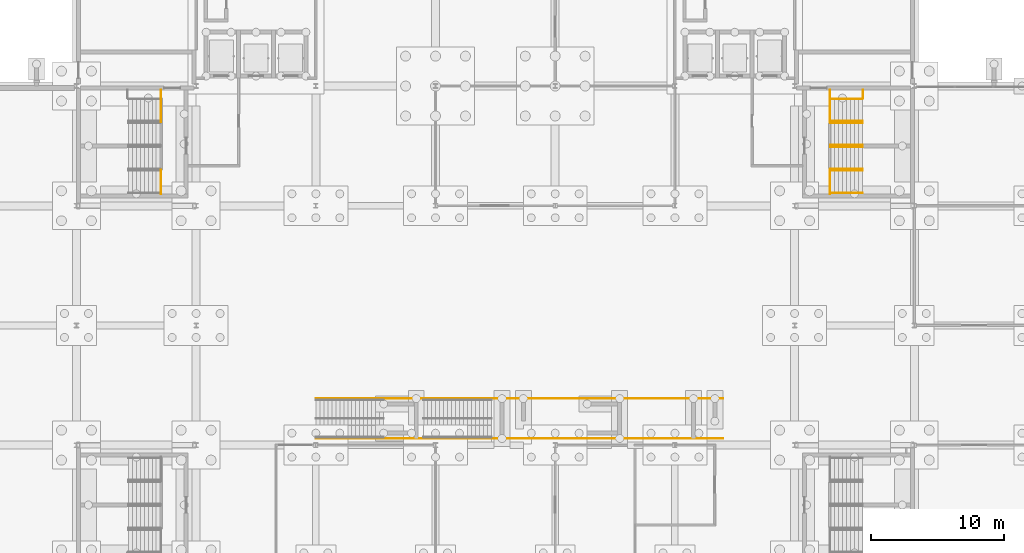
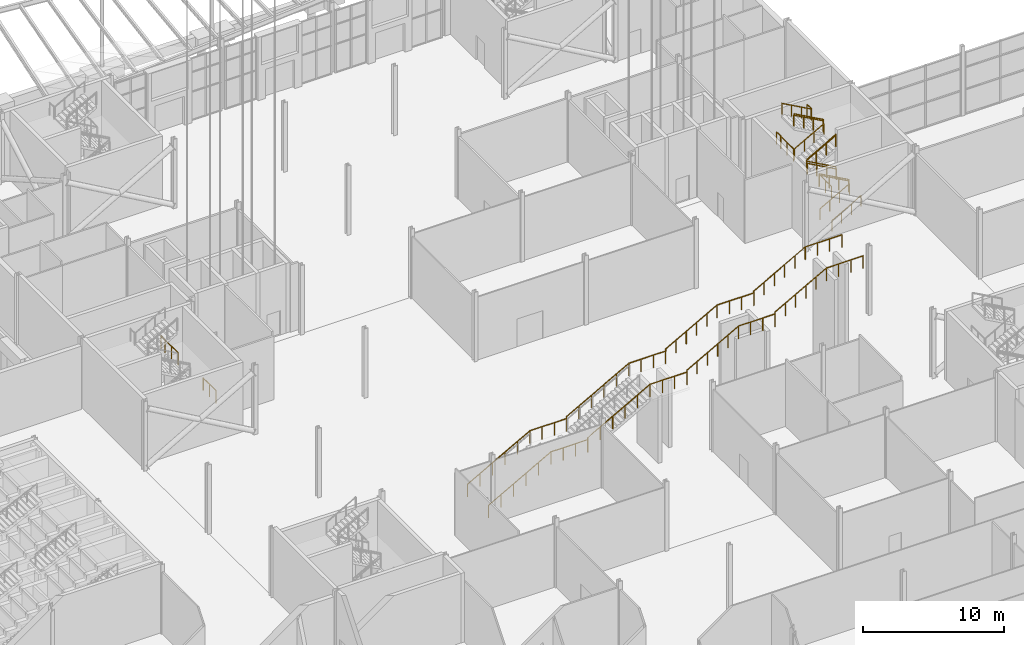
# One storey, part 136 of 139: 21 railings.
"""IFC4 building model written with IfcOpenShell, lengths in metres."""

from ifc_helpers import new_model, si_unit, direction, frame, origin, origin_2d, place, context, subcontext, project, spatial, circle, extrude, material, type_object, element, save


model = new_model("IFC4")

# Units and contexts
model_context = context("Model", 3, precision=1e-05, world=origin(), true_north=direction((0.0, 1.0)))
body_context = subcontext(model_context, "Body", "Model", "MODEL_VIEW")
ifc_project = project(units=[si_unit("LENGTHUNIT", "METRE"), si_unit("AREAUNIT", "SQUARE_METRE"), si_unit("VOLUMEUNIT", "CUBIC_METRE"), si_unit("PLANEANGLEUNIT", "RADIAN"), si_unit("MASSUNIT", "GRAM", prefix="KILO")], contexts=[model_context])

# Site, building, storey
site_placement = place(None, origin())
site = spatial("IfcSite", under=ifc_project, at=site_placement, CompositionType="ELEMENT")
building_placement = place(site_placement, origin())
building = spatial("IfcBuilding", under=site, at=building_placement, Name="Shorebreak Coast Museum", CompositionType="ELEMENT")
storey_placement = place(building_placement, origin())
storey = spatial("IfcBuildingStorey", under=building, at=storey_placement, Name="L00", CompositionType="ELEMENT", Elevation=0.0)

# Railings
ifc_material_1 = material(Name="Steel Grade 300", Category="steel")
railing_type_1 = type_object("IfcRailingType", Name="Feature stair guard 1100", PredefinedType="GUARDRAIL", material=ifc_material_1)
railing_1_placement = place(storey_placement, frame((72.0, 63.5, 0.166748046875)))
element("IfcRailing", 1, at=railing_1_placement, inside=storey, type_object=railing_type_1, Name="Guard feature stair S", PredefinedType="GUARDRAIL", context=body_context, shape_type="SweptSolid", body=[
    extrude(circle(Radius=0.02490234375, at=origin_2d()), frame((0.0, 0.0, 1.0751953125), z_axis=(0.874167145328, 0.0, 0.485625166182), x_axis=(0.0, 1.0, 0.0)), (0.0, 0.0, 1.0), 5.834228515625),
    extrude(circle(Radius=0.02490234375, at=origin_2d()), frame((5.10009765625, 0.0, 3.908203125), z_axis=(1.0, 0.0, 0.0), x_axis=(0.0, 1.0, 0.0)), (0.0, 0.0, 1.0), 3.0),
    extrude(circle(Radius=0.02490234375, at=origin_2d()), frame((8.10009765625, 0.0, 3.908203125), z_axis=(0.0, 0.0, 1.0), x_axis=(1.0, 0.0, 0.0)), (0.0, 0.0, 1.0), 0.166748046875),
    extrude(circle(Radius=0.02490234375, at=origin_2d()), frame((8.10009765625, 0.0, 4.0751953125), z_axis=(0.874157276122, 0.0, 0.485642931179), x_axis=(0.0, 1.0, 0.0)), (0.0, 0.0, 1.0), 5.833984375),
    extrude(circle(Radius=0.02490234375, at=origin_2d()), frame((13.199951171875, 0.0, 6.908203125), z_axis=(1.0, 0.0, 0.0), x_axis=(0.0, 1.0, 0.0)), (0.0, 0.0, 1.0), 3.0),
    extrude(circle(Radius=0.02490234375, at=origin_2d()), frame((16.199951171875, 0.0, 6.908203125), z_axis=(0.0, 0.0, 1.0), x_axis=(1.0, 0.0, 0.0)), (0.0, 0.0, 1.0), 0.166748046875),
    extrude(circle(Radius=0.02490234375, at=origin_2d()), frame((16.199951171875, 0.0, 7.0751953125), z_axis=(0.874162069901, 0.0, 0.485634302275), x_axis=(0.0, 1.0, 0.0)), (0.0, 0.0, 1.0), 4.804443359375),
    extrude(circle(Radius=0.02490234375, at=origin_2d()), frame((20.39990234375, 0.0, 9.408203125), z_axis=(1.0, 0.0, 0.0), x_axis=(0.0, 1.0, 0.0)), (0.0, 0.0, 1.0), 3.0),
    extrude(circle(Radius=0.02490234375, at=origin_2d()), frame((23.39990234375, 0.0, 9.408203125), z_axis=(0.0, 0.0, 1.0), x_axis=(1.0, 0.0, 0.0)), (0.0, 0.0, 1.0), 0.166748046875),
    extrude(circle(Radius=0.02490234375, at=origin_2d()), frame((23.39990234375, 0.0, 9.5751953125), z_axis=(0.874174053232, 0.0, 0.485612731152), x_axis=(0.0, 1.0, 0.0)), (0.0, 0.0, 1.0), 4.8046875),
    extrude(circle(Radius=0.02490234375, at=origin_2d()), frame((27.60009765625, 0.0, 11.908203125), z_axis=(1.0, 0.0, 0.0), x_axis=(0.0, 1.0, 0.0)), (0.0, 0.0, 1.0), 3.0),
    extrude(circle(Radius=0.02001953125, at=origin_2d()), origin(), (0.0, 0.0, 1.0), 1.050048828125),
    extrude(circle(Radius=0.02001953125, at=origin_2d()), frame((1.02001953125, 0.0, 0.566650390625)), (0.0, 0.0, 1.0), 1.050048828125),
    extrude(circle(Radius=0.02001953125, at=origin_2d()), frame((2.0400390625, 0.0, 1.13330078125)), (0.0, 0.0, 1.0), 1.050048828125),
    extrude(circle(Radius=0.02001953125, at=origin_2d()), frame((3.06005859375, 0.0, 1.699951171875)), (0.0, 0.0, 1.0), 1.050048828125),
    extrude(circle(Radius=0.02001953125, at=origin_2d()), frame((4.080078125, 0.0, 2.2666015625)), (0.0, 0.0, 1.0), 1.050048828125),
    extrude(circle(Radius=0.02001953125, at=origin_2d()), frame((5.10009765625, 0.0, 2.833251953125)), (0.0, 0.0, 1.0), 1.050048828125),
    extrude(circle(Radius=0.02001953125, at=origin_2d()), frame((6.10009765625, 0.0, 2.833251953125)), (0.0, 0.0, 1.0), 1.050048828125),
    extrude(circle(Radius=0.02001953125, at=origin_2d()), frame((7.10009765625, 0.0, 2.833251953125)), (0.0, 0.0, 1.0), 1.050048828125),
    extrude(circle(Radius=0.02001953125, at=origin_2d()), frame((8.10009765625, 0.0, 2.833251953125)), (0.0, 0.0, 1.0), 1.050048828125),
    extrude(circle(Radius=0.02001953125, at=origin_2d()), frame((8.10009765625, 0.0, 3.0)), (0.0, 0.0, 1.0), 1.050048828125),
    extrude(circle(Radius=0.02001953125, at=origin_2d()), frame((9.1201171875, 0.0, 3.566650390625)), (0.0, 0.0, 1.0), 1.050048828125),
    extrude(circle(Radius=0.02001953125, at=origin_2d()), frame((10.14013671875, 0.0, 4.13330078125)), (0.0, 0.0, 1.0), 1.050048828125),
    extrude(circle(Radius=0.02001953125, at=origin_2d()), frame((11.159912109375, 0.0, 4.699951171875)), (0.0, 0.0, 1.0), 1.050048828125),
    extrude(circle(Radius=0.02001953125, at=origin_2d()), frame((12.179931640625, 0.0, 5.2666015625)), (0.0, 0.0, 1.0), 1.050048828125),
    extrude(circle(Radius=0.02001953125, at=origin_2d()), frame((13.199951171875, 0.0, 5.833251953125)), (0.0, 0.0, 1.0), 1.050048828125),
    extrude(circle(Radius=0.02001953125, at=origin_2d()), frame((14.199951171875, 0.0, 5.833251953125)), (0.0, 0.0, 1.0), 1.050048828125),
    extrude(circle(Radius=0.02001953125, at=origin_2d()), frame((15.199951171875, 0.0, 5.833251953125)), (0.0, 0.0, 1.0), 1.050048828125),
    extrude(circle(Radius=0.02001953125, at=origin_2d()), frame((16.199951171875, 0.0, 5.833251953125)), (0.0, 0.0, 1.0), 1.050048828125),
    extrude(circle(Radius=0.02001953125, at=origin_2d()), frame((16.199951171875, 0.0, 6.0)), (0.0, 0.0, 1.0), 1.050048828125),
    extrude(circle(Radius=0.02001953125, at=origin_2d()), frame((17.0400390625, 0.0, 6.466552734375)), (0.0, 0.0, 1.0), 1.050048828125),
    extrude(circle(Radius=0.02001953125, at=origin_2d()), frame((17.8798828125, 0.0, 6.933349609375)), (0.0, 0.0, 1.0), 1.050048828125),
    extrude(circle(Radius=0.02001953125, at=origin_2d()), frame((18.719970703125, 0.0, 7.39990234375)), (0.0, 0.0, 1.0), 1.050048828125),
    extrude(circle(Radius=0.02001953125, at=origin_2d()), frame((19.559814453125, 0.0, 7.86669921875)), (0.0, 0.0, 1.0), 1.050048828125),
    extrude(circle(Radius=0.02001953125, at=origin_2d()), frame((20.39990234375, 0.0, 8.333251953125)), (0.0, 0.0, 1.0), 1.050048828125),
    extrude(circle(Radius=0.02001953125, at=origin_2d()), frame((21.39990234375, 0.0, 8.333251953125)), (0.0, 0.0, 1.0), 1.050048828125),
    extrude(circle(Radius=0.02001953125, at=origin_2d()), frame((22.39990234375, 0.0, 8.333251953125)), (0.0, 0.0, 1.0), 1.050048828125),
    extrude(circle(Radius=0.02001953125, at=origin_2d()), frame((23.39990234375, 0.0, 8.333251953125)), (0.0, 0.0, 1.0), 1.050048828125),
    extrude(circle(Radius=0.02001953125, at=origin_2d()), frame((23.39990234375, 0.0, 8.5)), (0.0, 0.0, 1.0), 1.050048828125),
    extrude(circle(Radius=0.02001953125, at=origin_2d()), frame((24.239990234375, 0.0, 8.966552734375)), (0.0, 0.0, 1.0), 1.050048828125),
    extrude(circle(Radius=0.02001953125, at=origin_2d()), frame((25.080078125, 0.0, 9.433349609375)), (0.0, 0.0, 1.0), 1.050048828125),
    extrude(circle(Radius=0.02001953125, at=origin_2d()), frame((25.919921875, 0.0, 9.89990234375)), (0.0, 0.0, 1.0), 1.050048828125),
    extrude(circle(Radius=0.02001953125, at=origin_2d()), frame((26.760009765625, 0.0, 10.36669921875)), (0.0, 0.0, 1.0), 1.050048828125),
    extrude(circle(Radius=0.02001953125, at=origin_2d()), frame((27.60009765625, 0.0, 10.833251953125)), (0.0, 0.0, 1.0), 1.050048828125),
    extrude(circle(Radius=0.02001953125, at=origin_2d()), frame((28.60009765625, 0.0, 10.833251953125)), (0.0, 0.0, 1.0), 1.050048828125),
    extrude(circle(Radius=0.02001953125, at=origin_2d()), frame((29.60009765625, 0.0, 10.833251953125)), (0.0, 0.0, 1.0), 1.050048828125),
    extrude(circle(Radius=0.02001953125, at=origin_2d()), frame((30.60009765625, 0.0, 10.833251953125)), (0.0, 0.0, 1.0), 1.050048828125),
])
railing_2_placement = place(storey_placement, frame((72.0, 66.5, 0.166748046875)))
element("IfcRailing", 2, at=railing_2_placement, inside=storey, type_object=railing_type_1, Name="Guard feature stair N", PredefinedType="GUARDRAIL", context=body_context, shape_type="SweptSolid", body=[
    extrude(circle(Radius=0.02490234375, at=origin_2d()), frame((0.0, 0.0, 1.0751953125), z_axis=(0.874167145328, 0.0, 0.485625166182), x_axis=(0.0, 1.0, 0.0)), (0.0, 0.0, 1.0), 5.834228515625),
    extrude(circle(Radius=0.02490234375, at=origin_2d()), frame((5.10009765625, 0.0, 3.908203125), z_axis=(1.0, 0.0, 0.0), x_axis=(0.0, 1.0, 0.0)), (0.0, 0.0, 1.0), 3.0),
    extrude(circle(Radius=0.02490234375, at=origin_2d()), frame((8.10009765625, 0.0, 3.908203125), z_axis=(0.0, 0.0, 1.0), x_axis=(1.0, 0.0, 0.0)), (0.0, 0.0, 1.0), 0.166748046875),
    extrude(circle(Radius=0.02490234375, at=origin_2d()), frame((8.10009765625, 0.0, 4.0751953125), z_axis=(0.874157276122, 0.0, 0.485642931179), x_axis=(0.0, 1.0, 0.0)), (0.0, 0.0, 1.0), 5.833984375),
    extrude(circle(Radius=0.02490234375, at=origin_2d()), frame((13.199951171875, 0.0, 6.908203125), z_axis=(1.0, 0.0, 0.0), x_axis=(0.0, 1.0, 0.0)), (0.0, 0.0, 1.0), 3.0),
    extrude(circle(Radius=0.02490234375, at=origin_2d()), frame((16.199951171875, 0.0, 6.908203125), z_axis=(0.0, 0.0, 1.0), x_axis=(1.0, 0.0, 0.0)), (0.0, 0.0, 1.0), 0.166748046875),
    extrude(circle(Radius=0.02490234375, at=origin_2d()), frame((16.199951171875, 0.0, 7.0751953125), z_axis=(0.874162069901, 0.0, 0.485634302275), x_axis=(0.0, 1.0, 0.0)), (0.0, 0.0, 1.0), 4.804443359375),
    extrude(circle(Radius=0.02490234375, at=origin_2d()), frame((20.39990234375, 0.0, 9.408203125), z_axis=(1.0, 0.0, 0.0), x_axis=(0.0, 1.0, 0.0)), (0.0, 0.0, 1.0), 3.0),
    extrude(circle(Radius=0.02490234375, at=origin_2d()), frame((23.39990234375, 0.0, 9.408203125), z_axis=(0.0, 0.0, 1.0), x_axis=(1.0, 0.0, 0.0)), (0.0, 0.0, 1.0), 0.166748046875),
    extrude(circle(Radius=0.02490234375, at=origin_2d()), frame((23.39990234375, 0.0, 9.5751953125), z_axis=(0.874174053232, 0.0, 0.485612731152), x_axis=(0.0, 1.0, 0.0)), (0.0, 0.0, 1.0), 4.8046875),
    extrude(circle(Radius=0.02490234375, at=origin_2d()), frame((27.60009765625, 0.0, 11.908203125), z_axis=(1.0, 0.0, 0.0), x_axis=(0.0, 1.0, 0.0)), (0.0, 0.0, 1.0), 3.0),
    extrude(circle(Radius=0.02001953125, at=origin_2d()), origin(), (0.0, 0.0, 1.0), 1.050048828125),
    extrude(circle(Radius=0.02001953125, at=origin_2d()), frame((1.02001953125, 0.0, 0.566650390625)), (0.0, 0.0, 1.0), 1.050048828125),
    extrude(circle(Radius=0.02001953125, at=origin_2d()), frame((2.0400390625, 0.0, 1.13330078125)), (0.0, 0.0, 1.0), 1.050048828125),
    extrude(circle(Radius=0.02001953125, at=origin_2d()), frame((3.06005859375, 0.0, 1.699951171875)), (0.0, 0.0, 1.0), 1.050048828125),
    extrude(circle(Radius=0.02001953125, at=origin_2d()), frame((4.080078125, 0.0, 2.2666015625)), (0.0, 0.0, 1.0), 1.050048828125),
    extrude(circle(Radius=0.02001953125, at=origin_2d()), frame((5.10009765625, 0.0, 2.833251953125)), (0.0, 0.0, 1.0), 1.050048828125),
    extrude(circle(Radius=0.02001953125, at=origin_2d()), frame((6.10009765625, 0.0, 2.833251953125)), (0.0, 0.0, 1.0), 1.050048828125),
    extrude(circle(Radius=0.02001953125, at=origin_2d()), frame((7.10009765625, 0.0, 2.833251953125)), (0.0, 0.0, 1.0), 1.050048828125),
    extrude(circle(Radius=0.02001953125, at=origin_2d()), frame((8.10009765625, 0.0, 2.833251953125)), (0.0, 0.0, 1.0), 1.050048828125),
    extrude(circle(Radius=0.02001953125, at=origin_2d()), frame((8.10009765625, 0.0, 3.0)), (0.0, 0.0, 1.0), 1.050048828125),
    extrude(circle(Radius=0.02001953125, at=origin_2d()), frame((9.1201171875, 0.0, 3.566650390625)), (0.0, 0.0, 1.0), 1.050048828125),
    extrude(circle(Radius=0.02001953125, at=origin_2d()), frame((10.14013671875, 0.0, 4.13330078125)), (0.0, 0.0, 1.0), 1.050048828125),
    extrude(circle(Radius=0.02001953125, at=origin_2d()), frame((11.159912109375, 0.0, 4.699951171875)), (0.0, 0.0, 1.0), 1.050048828125),
    extrude(circle(Radius=0.02001953125, at=origin_2d()), frame((12.179931640625, 0.0, 5.2666015625)), (0.0, 0.0, 1.0), 1.050048828125),
    extrude(circle(Radius=0.02001953125, at=origin_2d()), frame((13.199951171875, 0.0, 5.833251953125)), (0.0, 0.0, 1.0), 1.050048828125),
    extrude(circle(Radius=0.02001953125, at=origin_2d()), frame((14.199951171875, 0.0, 5.833251953125)), (0.0, 0.0, 1.0), 1.050048828125),
    extrude(circle(Radius=0.02001953125, at=origin_2d()), frame((15.199951171875, 0.0, 5.833251953125)), (0.0, 0.0, 1.0), 1.050048828125),
    extrude(circle(Radius=0.02001953125, at=origin_2d()), frame((16.199951171875, 0.0, 5.833251953125)), (0.0, 0.0, 1.0), 1.050048828125),
    extrude(circle(Radius=0.02001953125, at=origin_2d()), frame((16.199951171875, 0.0, 6.0)), (0.0, 0.0, 1.0), 1.050048828125),
    extrude(circle(Radius=0.02001953125, at=origin_2d()), frame((17.0400390625, 0.0, 6.466552734375)), (0.0, 0.0, 1.0), 1.050048828125),
    extrude(circle(Radius=0.02001953125, at=origin_2d()), frame((17.8798828125, 0.0, 6.933349609375)), (0.0, 0.0, 1.0), 1.050048828125),
    extrude(circle(Radius=0.02001953125, at=origin_2d()), frame((18.719970703125, 0.0, 7.39990234375)), (0.0, 0.0, 1.0), 1.050048828125),
    extrude(circle(Radius=0.02001953125, at=origin_2d()), frame((19.559814453125, 0.0, 7.86669921875)), (0.0, 0.0, 1.0), 1.050048828125),
    extrude(circle(Radius=0.02001953125, at=origin_2d()), frame((20.39990234375, 0.0, 8.333251953125)), (0.0, 0.0, 1.0), 1.050048828125),
    extrude(circle(Radius=0.02001953125, at=origin_2d()), frame((21.39990234375, 0.0, 8.333251953125)), (0.0, 0.0, 1.0), 1.050048828125),
    extrude(circle(Radius=0.02001953125, at=origin_2d()), frame((22.39990234375, 0.0, 8.333251953125)), (0.0, 0.0, 1.0), 1.050048828125),
    extrude(circle(Radius=0.02001953125, at=origin_2d()), frame((23.39990234375, 0.0, 8.333251953125)), (0.0, 0.0, 1.0), 1.050048828125),
    extrude(circle(Radius=0.02001953125, at=origin_2d()), frame((23.39990234375, 0.0, 8.5)), (0.0, 0.0, 1.0), 1.050048828125),
    extrude(circle(Radius=0.02001953125, at=origin_2d()), frame((24.239990234375, 0.0, 8.966552734375)), (0.0, 0.0, 1.0), 1.050048828125),
    extrude(circle(Radius=0.02001953125, at=origin_2d()), frame((25.080078125, 0.0, 9.433349609375)), (0.0, 0.0, 1.0), 1.050048828125),
    extrude(circle(Radius=0.02001953125, at=origin_2d()), frame((25.919921875, 0.0, 9.89990234375)), (0.0, 0.0, 1.0), 1.050048828125),
    extrude(circle(Radius=0.02001953125, at=origin_2d()), frame((26.760009765625, 0.0, 10.36669921875)), (0.0, 0.0, 1.0), 1.050048828125),
    extrude(circle(Radius=0.02001953125, at=origin_2d()), frame((27.60009765625, 0.0, 10.833251953125)), (0.0, 0.0, 1.0), 1.050048828125),
    extrude(circle(Radius=0.02001953125, at=origin_2d()), frame((28.60009765625, 0.0, 10.833251953125)), (0.0, 0.0, 1.0), 1.050048828125),
    extrude(circle(Radius=0.02001953125, at=origin_2d()), frame((29.60009765625, 0.0, 10.833251953125)), (0.0, 0.0, 1.0), 1.050048828125),
    extrude(circle(Radius=0.02001953125, at=origin_2d()), frame((30.60009765625, 0.0, 10.833251953125)), (0.0, 0.0, 1.0), 1.050048828125),
])
ifc_material_2 = material(Name="Steel Grade 300", Category="steel")
railing_type_2 = type_object("IfcRailingType", Name="Stair guard 1100", PredefinedType="GUARDRAIL", material=ifc_material_2)
for number, where, name in (
    (3, (60.35009765625, 81.89990234375, 3.0), "Guard ST03 L00 landing mid1"),
    (4, (60.35009765625, 87.300048828125, 3.0), "Guard ST03 L00 landing mid1"),
):
    element("IfcRailing", number, at=place(storey_placement, frame(where)), inside=storey, type_object=railing_type_2, Name=name, PredefinedType="GUARDRAIL", context=body_context, shape_type="SweptSolid", body=[
        extrude(circle(Radius=0.02490234375, at=origin_2d()), frame((0.0, 0.0, 1.0751953125), z_axis=(0.0, 1.0, 0.0), x_axis=(-1.0, 0.0, 0.0)), (0.0, 0.0, 1.0), 1.800048828125),
        extrude(circle(Radius=0.02001953125, at=origin_2d()), origin(), (0.0, 0.0, 1.0), 1.050048828125),
        extrude(circle(Radius=0.02001953125, at=origin_2d()), frame((0.0, 0.89990234375, 0.0)), (0.0, 0.0, 1.0), 1.050048828125),
        extrude(circle(Radius=0.02001953125, at=origin_2d()), frame((0.0, 1.800048828125, 0.0)), (0.0, 0.0, 1.0), 1.050048828125),
    ])
railing_3_placement = place(storey_placement, frame((60.35009765625, 89.10009765625, 3.0)))
element("IfcRailing", 5, at=railing_3_placement, inside=storey, type_object=railing_type_2, Name="Guard ST03 L00 landing strip", PredefinedType="GUARDRAIL", context=body_context, shape_type="SweptSolid", body=[
    extrude(circle(Radius=0.02490234375, at=origin_2d()), frame((0.0, 0.0, 1.0751953125), z_axis=(0.0, 1.0, 0.0), x_axis=(-1.0, 0.0, 0.0)), (0.0, 0.0, 1.0), 0.599853515625),
    extrude(circle(Radius=0.02001953125, at=origin_2d()), origin(), (0.0, 0.0, 1.0), 1.050048828125),
    extrude(circle(Radius=0.02001953125, at=origin_2d()), frame((0.0, 0.599853515625, 0.0)), (0.0, 0.0, 1.0), 1.050048828125),
])
for number, where, name in (
    (6, (110.64990234375, 81.89990234375, 3.0), "Guard ST04 L00 landing mid1"),
    (7, (110.64990234375, 87.300048828125, 3.0), "Guard ST04 L00 landing mid1"),
):
    element("IfcRailing", number, at=place(storey_placement, frame(where)), inside=storey, type_object=railing_type_2, Name=name, PredefinedType="GUARDRAIL", context=body_context, shape_type="SweptSolid", body=[
        extrude(circle(Radius=0.02490234375, at=origin_2d()), frame((0.0, 0.0, 1.0751953125), z_axis=(0.0, 1.0, 0.0), x_axis=(-1.0, 0.0, 0.0)), (0.0, 0.0, 1.0), 1.800048828125),
        extrude(circle(Radius=0.02001953125, at=origin_2d()), origin(), (0.0, 0.0, 1.0), 1.050048828125),
        extrude(circle(Radius=0.02001953125, at=origin_2d()), frame((0.0, 0.89990234375, 0.0)), (0.0, 0.0, 1.0), 1.050048828125),
        extrude(circle(Radius=0.02001953125, at=origin_2d()), frame((0.0, 1.800048828125, 0.0)), (0.0, 0.0, 1.0), 1.050048828125),
    ])
for number, where, name in (
    (8, (110.64990234375, 89.10009765625, 3.0), "Guard ST04 L00 landing strip"),
    (9, (113.14990234375, 89.10009765625, 4.5), "Guard ST04 L00 landing strip"),
):
    element("IfcRailing", number, at=place(storey_placement, frame(where)), inside=storey, type_object=railing_type_2, Name=name, PredefinedType="GUARDRAIL", context=body_context, shape_type="SweptSolid", body=[
        extrude(circle(Radius=0.02490234375, at=origin_2d()), frame((0.0, 0.0, 1.0751953125), z_axis=(0.0, 1.0, 0.0), x_axis=(-1.0, 0.0, 0.0)), (0.0, 0.0, 1.0), 0.599853515625),
        extrude(circle(Radius=0.02001953125, at=origin_2d()), origin(), (0.0, 0.0, 1.0), 1.050048828125),
        extrude(circle(Radius=0.02001953125, at=origin_2d()), frame((0.0, 0.599853515625, 0.0)), (0.0, 0.0, 1.0), 1.050048828125),
    ])
for number, where, name in (
    (10, (113.10009765625, 83.699951171875, 1.666748046875), "Guard ST04-L00 well 1"),
    (11, (113.10009765625, 87.300048828125, 4.666748046875), "Guard ST04-L00 well 2"),
    (12, (113.10009765625, 85.5, 1.666748046875), "Guard ST04-L00 side 1"),
):
    element("IfcRailing", number, at=place(storey_placement, frame(where)), inside=storey, type_object=railing_type_2, Name=name, PredefinedType="GUARDRAIL", context=body_context, shape_type="SweptSolid", body=[
        extrude(circle(Radius=0.02490234375, at=origin_2d()), frame((0.0, 0.0, 1.0751953125), z_axis=(-0.874182441271, 0.0, 0.485597631145), x_axis=(0.0, -1.0, 0.0)), (0.0, 0.0, 1.0), 2.74560546875),
        extrude(circle(Radius=0.02001953125, at=origin_2d()), origin(), (0.0, 0.0, 1.0), 1.050048828125),
        extrude(circle(Radius=0.02001953125, at=origin_2d()), frame((-0.800048828125, 0.0, 0.4443359375)), (0.0, 0.0, 1.0), 1.050048828125),
        extrude(circle(Radius=0.02001953125, at=origin_2d()), frame((-1.60009765625, 0.0, 0.888916015625)), (0.0, 0.0, 1.0), 1.050048828125),
        extrude(circle(Radius=0.02001953125, at=origin_2d()), frame((-2.400146484375, 0.0, 1.333251953125)), (0.0, 0.0, 1.0), 1.050048828125),
    ])
railing_4_placement = place(storey_placement, frame((110.699951171875, 85.5, 3.166748046875)))
element("IfcRailing", 13, at=railing_4_placement, inside=storey, type_object=railing_type_2, Name="Guard ST04-L00 side 2", PredefinedType="GUARDRAIL", context=body_context, shape_type="SweptSolid", body=[
    extrude(circle(Radius=0.02490234375, at=origin_2d()), frame((0.0, 0.0, 1.0751953125), z_axis=(0.874182441271, 0.0, 0.485597631145), x_axis=(0.0, 1.0, 0.0)), (0.0, 0.0, 1.0), 2.74560546875),
    extrude(circle(Radius=0.02001953125, at=origin_2d()), origin(), (0.0, 0.0, 1.0), 1.050048828125),
    extrude(circle(Radius=0.02001953125, at=origin_2d()), frame((0.800048828125, 0.0, 0.4443359375)), (0.0, 0.0, 1.0), 1.050048828125),
    extrude(circle(Radius=0.02001953125, at=origin_2d()), frame((1.60009765625, 0.0, 0.888916015625)), (0.0, 0.0, 1.0), 1.050048828125),
    extrude(circle(Radius=0.02001953125, at=origin_2d()), frame((2.400146484375, 0.0, 1.333251953125)), (0.0, 0.0, 1.0), 1.050048828125),
])
ifc_material_3 = material(Name="Steel Grade 300", Category="steel")
railing_type_3 = type_object("IfcRailingType", Name="Stair handrail 950", PredefinedType="HANDRAIL", material=ifc_material_3)
for number, where, name in (
    (14, (110.699951171875, 81.9599609375, 0.166748046875), "Handrail ST04-L00 flight 1a"),
    (15, (110.699951171875, 83.639892578125, 0.166748046875), "Handrail ST04-L00 flight 1b"),
):
    element("IfcRailing", number, at=place(storey_placement, frame(where)), inside=storey, type_object=railing_type_3, Name=name, PredefinedType="HANDRAIL", context=body_context, shape_type="SweptSolid", body=[
        extrude(circle(Radius=0.02490234375, at=origin_2d()), frame((0.0, 0.0, 0.9248046875), z_axis=(0.874182441271, 0.0, 0.485597631145), x_axis=(0.0, 1.0, 0.0)), (0.0, 0.0, 1.0), 2.74560546875),
        extrude(circle(Radius=0.02001953125, at=origin_2d()), origin(), (0.0, 0.0, 1.0), 0.89990234375),
        extrude(circle(Radius=0.02001953125, at=origin_2d()), frame((0.800048828125, 0.0, 0.4443359375)), (0.0, 0.0, 1.0), 0.89990234375),
        extrude(circle(Radius=0.02001953125, at=origin_2d()), frame((1.60009765625, 0.0, 0.888916015625)), (0.0, 0.0, 1.0), 0.89990234375),
        extrude(circle(Radius=0.02001953125, at=origin_2d()), frame((2.400146484375, 0.0, 1.333251953125)), (0.0, 0.0, 1.0), 0.89990234375),
    ])
for number, where, name in (
    (16, (113.10009765625, 83.760009765625, 1.666748046875), "Handrail ST04-L00 flight 2a"),
    (17, (113.10009765625, 85.43994140625, 1.666748046875), "Handrail ST04-L00 flight 2b"),
):
    element("IfcRailing", number, at=place(storey_placement, frame(where)), inside=storey, type_object=railing_type_3, Name=name, PredefinedType="HANDRAIL", context=body_context, shape_type="SweptSolid", body=[
        extrude(circle(Radius=0.02490234375, at=origin_2d()), frame((0.0, 0.0, 0.9248046875), z_axis=(-0.874182441271, 0.0, 0.485597631145), x_axis=(0.0, -1.0, 0.0)), (0.0, 0.0, 1.0), 2.74560546875),
        extrude(circle(Radius=0.02001953125, at=origin_2d()), origin(), (0.0, 0.0, 1.0), 0.89990234375),
        extrude(circle(Radius=0.02001953125, at=origin_2d()), frame((-0.800048828125, 0.0, 0.4443359375)), (0.0, 0.0, 1.0), 0.89990234375),
        extrude(circle(Radius=0.02001953125, at=origin_2d()), frame((-1.60009765625, 0.0, 0.888916015625)), (0.0, 0.0, 1.0), 0.89990234375),
        extrude(circle(Radius=0.02001953125, at=origin_2d()), frame((-2.400146484375, 0.0, 1.333251953125)), (0.0, 0.0, 1.0), 0.89990234375),
    ])
for number, where, name in (
    (18, (110.699951171875, 85.56005859375, 3.166748046875), "Handrail ST04-L00 flight 3a"),
    (19, (110.699951171875, 87.239990234375, 3.166748046875), "Handrail ST04-L00 flight 3b"),
):
    element("IfcRailing", number, at=place(storey_placement, frame(where)), inside=storey, type_object=railing_type_3, Name=name, PredefinedType="HANDRAIL", context=body_context, shape_type="SweptSolid", body=[
        extrude(circle(Radius=0.02490234375, at=origin_2d()), frame((0.0, 0.0, 0.9248046875), z_axis=(0.874182441271, 0.0, 0.485597631145), x_axis=(0.0, 1.0, 0.0)), (0.0, 0.0, 1.0), 2.74560546875),
        extrude(circle(Radius=0.02001953125, at=origin_2d()), origin(), (0.0, 0.0, 1.0), 0.89990234375),
        extrude(circle(Radius=0.02001953125, at=origin_2d()), frame((0.800048828125, 0.0, 0.4443359375)), (0.0, 0.0, 1.0), 0.89990234375),
        extrude(circle(Radius=0.02001953125, at=origin_2d()), frame((1.60009765625, 0.0, 0.888916015625)), (0.0, 0.0, 1.0), 0.89990234375),
        extrude(circle(Radius=0.02001953125, at=origin_2d()), frame((2.400146484375, 0.0, 1.333251953125)), (0.0, 0.0, 1.0), 0.89990234375),
    ])
for number, where, name in (
    (20, (113.10009765625, 87.360107421875, 4.666748046875), "Handrail ST04-L00 flight 4a"),
    (21, (113.10009765625, 89.0400390625, 4.666748046875), "Handrail ST04-L00 flight 4b"),
):
    element("IfcRailing", number, at=place(storey_placement, frame(where)), inside=storey, type_object=railing_type_3, Name=name, PredefinedType="HANDRAIL", context=body_context, shape_type="SweptSolid", body=[
        extrude(circle(Radius=0.02490234375, at=origin_2d()), frame((0.0, 0.0, 0.9248046875), z_axis=(-0.874182441271, 0.0, 0.485597631145), x_axis=(0.0, -1.0, 0.0)), (0.0, 0.0, 1.0), 2.74560546875),
        extrude(circle(Radius=0.02001953125, at=origin_2d()), origin(), (0.0, 0.0, 1.0), 0.89990234375),
        extrude(circle(Radius=0.02001953125, at=origin_2d()), frame((-0.800048828125, 0.0, 0.4443359375)), (0.0, 0.0, 1.0), 0.89990234375),
        extrude(circle(Radius=0.02001953125, at=origin_2d()), frame((-1.60009765625, 0.0, 0.888916015625)), (0.0, 0.0, 1.0), 0.89990234375),
        extrude(circle(Radius=0.02001953125, at=origin_2d()), frame((-2.400146484375, 0.0, 1.333251953125)), (0.0, 0.0, 1.0), 0.89990234375),
    ])

save(model, "model.ifc")
